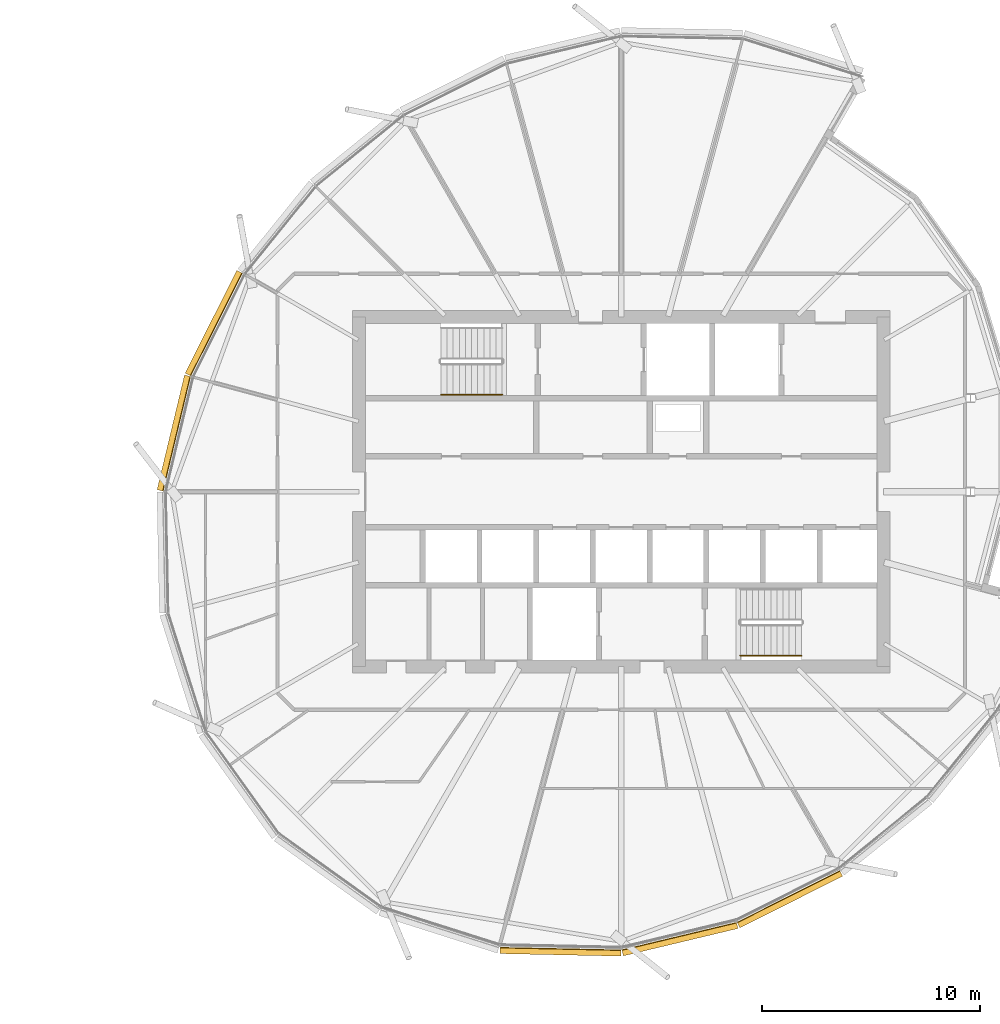
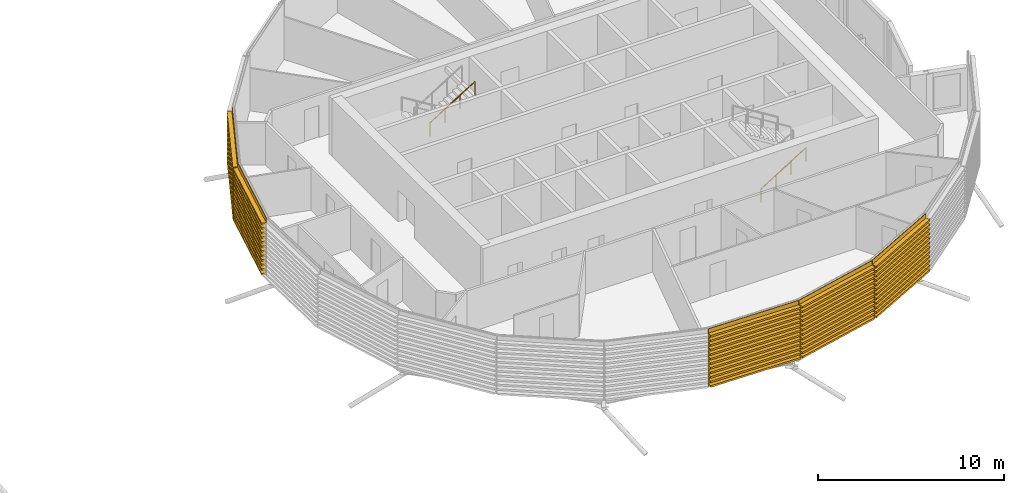
# One storey, part 35 of 37: 5 coverings, 2 railings.
"""IFC4 building model written with IfcOpenShell, lengths in metres."""

import ifcopenshell
import ifcopenshell.guid

model = None  # the IFC model being written
_history = None  # IfcOwnerHistory: only IFC2X3 demands one
_inside = {}  # id of a spatial element -> (the spatial element, [elements in it])
_under = {}  # id of a project, library or spatial element -> (it, [spatial elements below it])
_declared = {}  # id of a project -> (the project, [libraries it declares])
_typed = {}  # id of a type object -> (the type object, [elements of that type])
_made_of = {}  # id of a material, layer set ... -> (it, [elements and type objects made of it])


def new_model(schema):
    """Start an empty IFC model of exactly this schema.

    Asked for "IFC4X3", IfcOpenShell would pick the latest addendum, in which some entities
    have other attributes; the version numbers below select the first issue.
    IFC2X3 requires an IfcOwnerHistory on every rooted entity: one is made here for all.
    """
    global model, _history
    if schema == "IFC4X3":
        model = ifcopenshell.file(schema_version=(4, 3, 0, 0))
    else:
        model = ifcopenshell.file(schema=schema)
    _inside.clear()
    _under.clear()
    _declared.clear()
    _typed.clear()
    _made_of.clear()
    _history = None
    if model.schema == "IFC2X3":
        org = make("IfcOrganization", Name="unknown")
        user = make(
            "IfcPersonAndOrganization",
            ThePerson=make("IfcPerson", FamilyName="unknown"),
            TheOrganization=org,
        )
        app = make(
            "IfcApplication",
            ApplicationDeveloper=org,
            Version="unknown",
            ApplicationFullName="unknown",
            ApplicationIdentifier="unknown",
        )
        _history = make(
            "IfcOwnerHistory",
            OwningUser=user,
            OwningApplication=app,
            ChangeAction="ADDED",
            CreationDate=0,
        )
    return model


def make(cls, **values):
    """One entity of the class cls with the attributes given. An attribute that is None is left unset."""
    return model.create_entity(
        cls, **{name: value for name, value in values.items() if value is not None}
    )


def rooted(cls, **values):
    """An entity with a GlobalId (a new one), such as an element, a storey or a relation."""
    return make(cls, GlobalId=ifcopenshell.guid.new(), OwnerHistory=_history, **values)


def si_unit(unit_type, name, prefix=None):
    """IfcSIUnit, for example si_unit("LENGTHUNIT", "METRE", prefix="MILLI")."""
    return make("IfcSIUnit", UnitType=unit_type, Prefix=prefix, Name=name)


def assignment(units):
    """IfcUnitAssignment: the units of a project."""
    return None if units is None else make("IfcUnitAssignment", Units=units)


def point(xyz):
    """IfcCartesianPoint."""
    return None if xyz is None else make("IfcCartesianPoint", Coordinates=xyz)


def direction(xyz):
    """IfcDirection."""
    return None if xyz is None else make("IfcDirection", DirectionRatios=xyz)


def frame(location, z_axis=None, x_axis=None):
    """IfcAxis2Placement3D, a coordinate frame: its origin and axes. An axis left out is left unset."""
    return make(
        "IfcAxis2Placement3D",
        Location=point(location),
        Axis=direction(z_axis),
        RefDirection=direction(x_axis),
    )


def frame_2d(location, x_axis=None):
    """IfcAxis2Placement2D, a coordinate frame in the plane: its origin and x axis."""
    return make(
        "IfcAxis2Placement2D", Location=point(location), RefDirection=direction(x_axis)
    )


def origin():
    """The frame at (0, 0, 0) with its axes left unset."""
    return frame((0.0, 0.0, 0.0))


def origin_2d():
    """The frame at (0, 0) in the plane with its x axis left unset."""
    return frame_2d((0.0, 0.0))


def place(relative_to, where):
    """IfcLocalPlacement: puts the frame where relative to a parent placement (None: the world)."""
    return make(
        "IfcLocalPlacement", PlacementRelTo=relative_to, RelativePlacement=where
    )


def context(
    kind, dimensions, precision=None, world=None, true_north=None, identifier=None
):
    """IfcGeometricRepresentationContext, for example the 3D "Model" context."""
    return make(
        "IfcGeometricRepresentationContext",
        ContextIdentifier=identifier,
        ContextType=kind,
        CoordinateSpaceDimension=dimensions,
        Precision=precision,
        WorldCoordinateSystem=world,
        TrueNorth=true_north,
    )


def subcontext(parent, identifier, kind, view, scale=None):
    """IfcGeometricRepresentationSubContext, for example "Body" below "Model"."""
    return make(
        "IfcGeometricRepresentationSubContext",
        ContextIdentifier=identifier,
        ContextType=kind,
        ParentContext=parent,
        TargetScale=scale,
        TargetView=view,
    )


def project(units=None, contexts=None):
    """IfcProject with its units and contexts."""
    return rooted(
        "IfcProject",
        Name="project",
        RepresentationContexts=contexts,
        UnitsInContext=assignment(units),
    )


def spatial(cls, under=None, at=None, **own):
    """A site, building, storey or space (cls), placed at a placement, below another one or the project."""
    s = rooted(cls, ObjectPlacement=at, **own)
    if under is not None:
        _under.setdefault(under.id(), (under, []))[1].append(s)
    return s


def polyline(points):
    """IfcPolyline through the points."""
    return make("IfcPolyline", Points=[point(p) for p in points])


def profile(cls, at=None, kind="AREA", **sizes):
    """A parametric profile (cls). Its sizes go by their IFC names, for example OverallWidth=200.0."""
    return make(cls, ProfileType=kind, Position=at, **sizes)


def circle(**sizes):
    """IfcCircleProfileDef."""
    return profile("IfcCircleProfileDef", **sizes)


def outline(outer, holes=None, kind="AREA"):
    """IfcArbitraryClosedProfileDef: a profile drawn as a closed curve; with holes, ...WithVoids."""
    if holes is None:
        return make("IfcArbitraryClosedProfileDef", ProfileType=kind, OuterCurve=outer)
    return make(
        "IfcArbitraryProfileDefWithVoids",
        ProfileType=kind,
        OuterCurve=outer,
        InnerCurves=holes,
    )


def extrude(swept, where, along, depth):
    """IfcExtrudedAreaSolid: the profile swept, set in the frame where, extruded along a direction by depth."""
    return make(
        "IfcExtrudedAreaSolid",
        SweptArea=swept,
        Position=where,
        ExtrudedDirection=direction(along),
        Depth=depth,
    )


def shape(context_of_items, identifier, shape_type, items):
    """IfcShapeRepresentation: the items that make up one representation, for example the "Body"."""
    return make(
        "IfcShapeRepresentation",
        ContextOfItems=context_of_items,
        RepresentationIdentifier=identifier,
        RepresentationType=shape_type,
        Items=items,
    )


def material(Name=None, Category=None):
    """IfcMaterial."""
    return make("IfcMaterial", Name=Name, Category=Category)


def material_profile(
    of_material, cross_section, Name=None, Category=None, Priority=None
):
    """IfcMaterialProfile: a cross section and its material."""
    return make(
        "IfcMaterialProfile",
        Name=Name,
        Material=of_material,
        Profile=cross_section,
        Priority=Priority,
        Category=Category,
    )


def profile_set(profiles, Name=None, composite=None):
    """IfcMaterialProfileSet."""
    return make(
        "IfcMaterialProfileSet",
        Name=Name,
        MaterialProfiles=profiles,
        CompositeProfile=composite,
    )


def made_of(thing, what):
    """Note that an element or type object is made of a material, layer set ...; save() writes the relation."""
    if what is not None:
        _made_of.setdefault(what.id(), (what, []))[1].append(thing)
    return thing


def type_object(cls, material=None, **own):
    """A type object (cls), such as IfcWallType, which elements share."""
    return made_of(rooted(cls, **own), material)


def element(
    cls,
    number,
    at=None,
    inside=None,
    cuts=None,
    type_object=None,
    material=None,
    context=None,
    identifier="Body",
    shape_type=None,
    held_by="IfcProductDefinitionShape",
    body=None,
    shapes=None,
    **own,
):
    """One element of the class cls, such as IfcWall. Its Tag is "e" and its number.

    at: its placement. inside: the storey or other place that contains it. cuts: it is an
    opening in that element (IfcRelVoidsElement). A single representation is given by context,
    identifier, shape_type and body (its items); several are given by shapes. held_by: the class
    of the entity that holds the representations. save() writes the other relations.
    """
    e = rooted(cls, Tag="e%d" % number, ObjectPlacement=at, **own)
    if body is not None:
        shapes = [shape(context, identifier, shape_type, body)]
    if shapes is not None:
        e.Representation = make(held_by, Representations=shapes)
    if inside is not None:
        _inside.setdefault(inside.id(), (inside, []))[1].append(e)
    if cuts is not None:
        rooted(
            "IfcRelVoidsElement", RelatingBuildingElement=cuts, RelatedOpeningElement=e
        )
    if type_object is not None:
        _typed.setdefault(type_object.id(), (type_object, []))[1].append(e)
    return made_of(e, material)


def aggregate(whole, parts):
    """IfcRelAggregates: a whole, such as a stair, and the parts it consists of."""
    return rooted("IfcRelAggregates", RelatingObject=whole, RelatedObjects=parts)


def save(model, path):
    """Write the relations noted so far, then the file.

    IfcRelAggregates (storeys below a building ...), IfcRelContainedInSpatialStructure (elements
    in a storey), IfcRelDefinesByType, IfcRelAssociatesMaterial and IfcRelDeclares: one each for
    every whole, place, type object, material and project.
    """
    for whole, parts in _under.values():
        aggregate(whole, parts)
    for where, things in _inside.values():
        rooted(
            "IfcRelContainedInSpatialStructure",
            RelatedElements=things,
            RelatingStructure=where,
        )
    for kind, things in _typed.values():
        rooted("IfcRelDefinesByType", RelatedObjects=things, RelatingType=kind)
    for what, things in _made_of.values():
        rooted("IfcRelAssociatesMaterial", RelatedObjects=things, RelatingMaterial=what)
    for by, libraries in _declared.values():
        rooted("IfcRelDeclares", RelatingContext=by, RelatedDefinitions=libraries)
    model.write(path)


model = new_model("IFC4")

# Units and contexts
model_context = context("Model", 3, precision=1e-05, world=origin(), true_north=direction((0.0, 1.0)))
body_context = subcontext(model_context, "Body", "Model", "MODEL_VIEW")
ifc_project = project(units=[si_unit("LENGTHUNIT", "METRE"), si_unit("AREAUNIT", "SQUARE_METRE"), si_unit("VOLUMEUNIT", "CUBIC_METRE"), si_unit("PLANEANGLEUNIT", "RADIAN"), si_unit("MASSUNIT", "GRAM", prefix="KILO")], contexts=[model_context])

# Site, building, storey
site_placement = place(None, origin())
site = spatial("IfcSite", under=ifc_project, at=site_placement, CompositionType="ELEMENT")
building_placement = place(site_placement, origin())
building = spatial("IfcBuilding", under=site, at=building_placement, Name="Rimbun Link Towers", CompositionType="ELEMENT")
storey_placement = place(building_placement, frame((0.0, 0.0, 177.89990234375)))
storey = spatial("IfcBuildingStorey", under=building, at=storey_placement, Name="L43", CompositionType="ELEMENT", Elevation=177.89990234375)

# Railings
ifc_material_1 = material(Name="Stainless steel grade 316", Category="steel")
railing_type = type_object("IfcRailingType", Name="Stair handrail", PredefinedType="HANDRAIL", material=ifc_material_1)
for number, where, name in (
    (1, (23.5, 4.449951171875, 2.07275390625), "L43 ST3 stair handrail 2"),
    (2, (37.199951171875, -7.5, 0.1728515625), "L43 ST4 stair handrail 1"),
):
    element("IfcRailing", number, at=place(storey_placement, frame(where)), inside=storey, type_object=railing_type, Name=name, PredefinedType="HANDRAIL", context=body_context, shape_type="SweptSolid", body=[
        extrude(circle(Radius=0.02392578125, at=origin_2d()), frame((0.0, 0.0, 0.8759765625), z_axis=(0.851089632645, 0.0, 0.525020415988), x_axis=(0.0, 1.0, 0.0)), (0.0, 0.0, 1.0), 3.2900390625),
        extrude(circle(Radius=0.02099609375, at=origin_2d()), origin(), (0.0, 0.0, 1.0), 0.851806640625),
        extrude(circle(Radius=0.02099609375, at=origin_2d()), frame((0.933349609375, 0.0, 0.57568359375)), (0.0, 0.0, 1.0), 0.851806640625),
        extrude(circle(Radius=0.02099609375, at=origin_2d()), frame((1.86669921875, 0.0, 1.151611328125)), (0.0, 0.0, 1.0), 0.851806640625),
        extrude(circle(Radius=0.02099609375, at=origin_2d()), frame((2.800048828125, 0.0, 1.727294921875)), (0.0, 0.0, 1.0), 0.851806640625),
    ])

# Coverings
ifc_material_2 = material(Name="Terracotta", Category="masonry")
ifc_material_profile = material_profile(ifc_material_2, outline(polyline([(0.123046875, 0.0), (0.1630859375, 0.0), (0.1630859375, 0.10009765625), (0.423095703125, 0.10009765625), (0.423095703125, 0.219970703125), (0.1630859375, 0.219970703125), (0.1630859375, 0.39990234375), (0.423095703125, 0.39990234375), (0.423095703125, 0.52001953125), (0.1630859375, 0.52001953125), (0.1630859375, 0.699951171875), (0.423095703125, 0.699951171875), (0.423095703125, 0.820068359375), (0.1630859375, 0.820068359375), (0.1630859375, 1.0), (0.423095703125, 1.0), (0.423095703125, 1.1201171875), (0.1630859375, 1.1201171875), (0.1630859375, 1.300048828125), (0.423095703125, 1.300048828125), (0.423095703125, 1.419921875), (0.1630859375, 1.419921875), (0.1630859375, 1.60009765625), (0.423095703125, 1.60009765625), (0.423095703125, 1.719970703125), (0.1630859375, 1.719970703125), (0.1630859375, 1.89990234375), (0.423095703125, 1.89990234375), (0.423095703125, 2.02001953125), (0.1630859375, 2.02001953125), (0.1630859375, 2.199951171875), (0.423095703125, 2.199951171875), (0.423095703125, 2.320068359375), (0.1630859375, 2.320068359375), (0.1630859375, 2.5), (0.423095703125, 2.5), (0.423095703125, 2.6201171875), (0.1630859375, 2.6201171875), (0.1630859375, 2.800048828125), (0.423095703125, 2.800048828125), (0.423095703125, 2.919921875), (0.1630859375, 2.919921875), (0.1630859375, 3.10009765625), (0.423095703125, 3.10009765625), (0.423095703125, 3.219970703125), (0.1630859375, 3.219970703125), (0.1630859375, 3.39990234375), (0.423095703125, 3.39990234375), (0.423095703125, 3.52001953125), (0.1630859375, 3.52001953125), (0.1630859375, 3.800048828125), (0.123046875, 3.800048828125), (0.123046875, 0.0)])), Name="BAGUETTE 120X300")
ifc_profile_set = profile_set([ifc_material_profile], Name="Terracotta")
covering_type = type_object("IfcCoveringType", Name="TERRACOTTA BAGUETTE 120X300 H3800", PredefinedType="CLADDING", material=ifc_profile_set)
covering_1_placement = place(storey_placement, frame((12.17138671875, 5.24609375, 0.0), z_axis=(0.448792499015, 0.89363599571, 0.0), x_axis=(-0.89363599571, 0.448792499015, 0.0)))
element("IfcCovering", 3, at=covering_1_placement, inside=storey, type_object=covering_type, Name="TERRACOTTA BAGUETTE", PredefinedType="CLADDING", context=body_context, shape_type="SweptSolid", body=[
    extrude(outline(polyline([(0.123046875, 0.0), (0.1630859375, 0.0), (0.1630859375, 0.10009765625), (0.423095703125, 0.10009765625), (0.423095703125, 0.219970703125), (0.1630859375, 0.219970703125), (0.1630859375, 0.39990234375), (0.423095703125, 0.39990234375), (0.423095703125, 0.52001953125), (0.1630859375, 0.52001953125), (0.1630859375, 0.699951171875), (0.423095703125, 0.699951171875), (0.423095703125, 0.820068359375), (0.1630859375, 0.820068359375), (0.1630859375, 1.0), (0.423095703125, 1.0), (0.423095703125, 1.1201171875), (0.1630859375, 1.1201171875), (0.1630859375, 1.300048828125), (0.423095703125, 1.300048828125), (0.423095703125, 1.419921875), (0.1630859375, 1.419921875), (0.1630859375, 1.60009765625), (0.423095703125, 1.60009765625), (0.423095703125, 1.719970703125), (0.1630859375, 1.719970703125), (0.1630859375, 1.89990234375), (0.423095703125, 1.89990234375), (0.423095703125, 2.02001953125), (0.1630859375, 2.02001953125), (0.1630859375, 2.199951171875), (0.423095703125, 2.199951171875), (0.423095703125, 2.320068359375), (0.1630859375, 2.320068359375), (0.1630859375, 2.5), (0.423095703125, 2.5), (0.423095703125, 2.6201171875), (0.1630859375, 2.6201171875), (0.1630859375, 2.800048828125), (0.423095703125, 2.800048828125), (0.423095703125, 2.919921875), (0.1630859375, 2.919921875), (0.1630859375, 3.10009765625), (0.423095703125, 3.10009765625), (0.423095703125, 3.219970703125), (0.1630859375, 3.219970703125), (0.1630859375, 3.39990234375), (0.423095703125, 3.39990234375), (0.423095703125, 3.52001953125), (0.1630859375, 3.52001953125), (0.1630859375, 3.800048828125), (0.123046875, 3.800048828125), (0.123046875, 0.0)])), origin(), (0.0, 0.0, 1.0), 5.2548828125),
])
covering_2_placement = place(storey_placement, frame((10.9169921875, 0.0, 0.0), z_axis=(0.232554598623, 0.972583342783, 0.0), x_axis=(-0.972583342783, 0.232554598623, 0.0)))
element("IfcCovering", 4, at=covering_2_placement, inside=storey, type_object=covering_type, Name="TERRACOTTA BAGUETTE", PredefinedType="CLADDING", context=body_context, shape_type="SweptSolid", body=[
    extrude(outline(polyline([(0.123046875, 0.0), (0.1630859375, 0.0), (0.1630859375, 0.10009765625), (0.423095703125, 0.10009765625), (0.423095703125, 0.219970703125), (0.1630859375, 0.219970703125), (0.1630859375, 0.39990234375), (0.423095703125, 0.39990234375), (0.423095703125, 0.52001953125), (0.1630859375, 0.52001953125), (0.1630859375, 0.699951171875), (0.423095703125, 0.699951171875), (0.423095703125, 0.820068359375), (0.1630859375, 0.820068359375), (0.1630859375, 1.0), (0.423095703125, 1.0), (0.423095703125, 1.1201171875), (0.1630859375, 1.1201171875), (0.1630859375, 1.300048828125), (0.423095703125, 1.300048828125), (0.423095703125, 1.419921875), (0.1630859375, 1.419921875), (0.1630859375, 1.60009765625), (0.423095703125, 1.60009765625), (0.423095703125, 1.719970703125), (0.1630859375, 1.719970703125), (0.1630859375, 1.89990234375), (0.423095703125, 1.89990234375), (0.423095703125, 2.02001953125), (0.1630859375, 2.02001953125), (0.1630859375, 2.199951171875), (0.423095703125, 2.199951171875), (0.423095703125, 2.320068359375), (0.1630859375, 2.320068359375), (0.1630859375, 2.5), (0.423095703125, 2.5), (0.423095703125, 2.6201171875), (0.1630859375, 2.6201171875), (0.1630859375, 2.800048828125), (0.423095703125, 2.800048828125), (0.423095703125, 2.919921875), (0.1630859375, 2.919921875), (0.1630859375, 3.10009765625), (0.423095703125, 3.10009765625), (0.423095703125, 3.219970703125), (0.1630859375, 3.219970703125), (0.1630859375, 3.39990234375), (0.423095703125, 3.39990234375), (0.423095703125, 3.52001953125), (0.1630859375, 3.52001953125), (0.1630859375, 3.800048828125), (0.123046875, 3.800048828125), (0.123046875, 0.0)])), origin(), (0.0, 0.0, 1.0), 5.39404296875),
])
covering_3_placement = place(storey_placement, frame((31.75, -20.8330078125, 0.0), z_axis=(-0.999779070487, 0.021019282006, 0.0), x_axis=(-0.021019282006, -0.999779070487, 0.0)))
element("IfcCovering", 5, at=covering_3_placement, inside=storey, type_object=covering_type, Name="TERRACOTTA BAGUETTE", PredefinedType="CLADDING", context=body_context, shape_type="SweptSolid", body=[
    extrude(outline(polyline([(0.123046875, 0.0), (0.1630859375, 0.0), (0.1630859375, 0.10009765625), (0.423095703125, 0.10009765625), (0.423095703125, 0.219970703125), (0.1630859375, 0.219970703125), (0.1630859375, 0.39990234375), (0.423095703125, 0.39990234375), (0.423095703125, 0.52001953125), (0.1630859375, 0.52001953125), (0.1630859375, 0.699951171875), (0.423095703125, 0.699951171875), (0.423095703125, 0.820068359375), (0.1630859375, 0.820068359375), (0.1630859375, 1.0), (0.423095703125, 1.0), (0.423095703125, 1.1201171875), (0.1630859375, 1.1201171875), (0.1630859375, 1.300048828125), (0.423095703125, 1.300048828125), (0.423095703125, 1.419921875), (0.1630859375, 1.419921875), (0.1630859375, 1.60009765625), (0.423095703125, 1.60009765625), (0.423095703125, 1.719970703125), (0.1630859375, 1.719970703125), (0.1630859375, 1.89990234375), (0.423095703125, 1.89990234375), (0.423095703125, 2.02001953125), (0.1630859375, 2.02001953125), (0.1630859375, 2.199951171875), (0.423095703125, 2.199951171875), (0.423095703125, 2.320068359375), (0.1630859375, 2.320068359375), (0.1630859375, 2.5), (0.423095703125, 2.5), (0.423095703125, 2.6201171875), (0.1630859375, 2.6201171875), (0.1630859375, 2.800048828125), (0.423095703125, 2.800048828125), (0.423095703125, 2.919921875), (0.1630859375, 2.919921875), (0.1630859375, 3.10009765625), (0.423095703125, 3.10009765625), (0.423095703125, 3.219970703125), (0.1630859375, 3.219970703125), (0.1630859375, 3.39990234375), (0.423095703125, 3.39990234375), (0.423095703125, 3.52001953125), (0.1630859375, 3.52001953125), (0.1630859375, 3.800048828125), (0.123046875, 3.800048828125), (0.123046875, 0.0)])), origin(), (0.0, 0.0, 1.0), 5.552001953125),
])
covering_4_placement = place(storey_placement, frame((36.99609375, -19.57861328125, 0.0), z_axis=(-0.972583342783, -0.232554598623, 0.0), x_axis=(0.232554598623, -0.972583342783, 0.0)))
element("IfcCovering", 6, at=covering_4_placement, inside=storey, type_object=covering_type, Name="TERRACOTTA BAGUETTE", PredefinedType="CLADDING", context=body_context, shape_type="SweptSolid", body=[
    extrude(outline(polyline([(0.123046875, 0.0), (0.1630859375, 0.0), (0.1630859375, 0.10009765625), (0.423095703125, 0.10009765625), (0.423095703125, 0.219970703125), (0.1630859375, 0.219970703125), (0.1630859375, 0.39990234375), (0.423095703125, 0.39990234375), (0.423095703125, 0.52001953125), (0.1630859375, 0.52001953125), (0.1630859375, 0.699951171875), (0.423095703125, 0.699951171875), (0.423095703125, 0.820068359375), (0.1630859375, 0.820068359375), (0.1630859375, 1.0), (0.423095703125, 1.0), (0.423095703125, 1.1201171875), (0.1630859375, 1.1201171875), (0.1630859375, 1.300048828125), (0.423095703125, 1.300048828125), (0.423095703125, 1.419921875), (0.1630859375, 1.419921875), (0.1630859375, 1.60009765625), (0.423095703125, 1.60009765625), (0.423095703125, 1.719970703125), (0.1630859375, 1.719970703125), (0.1630859375, 1.89990234375), (0.423095703125, 1.89990234375), (0.423095703125, 2.02001953125), (0.1630859375, 2.02001953125), (0.1630859375, 2.199951171875), (0.423095703125, 2.199951171875), (0.423095703125, 2.320068359375), (0.1630859375, 2.320068359375), (0.1630859375, 2.5), (0.423095703125, 2.5), (0.423095703125, 2.6201171875), (0.1630859375, 2.6201171875), (0.1630859375, 2.800048828125), (0.423095703125, 2.800048828125), (0.423095703125, 2.919921875), (0.1630859375, 2.919921875), (0.1630859375, 3.10009765625), (0.423095703125, 3.10009765625), (0.423095703125, 3.219970703125), (0.1630859375, 3.219970703125), (0.1630859375, 3.39990234375), (0.423095703125, 3.39990234375), (0.423095703125, 3.52001953125), (0.1630859375, 3.52001953125), (0.1630859375, 3.800048828125), (0.123046875, 3.800048828125), (0.123046875, 0.0)])), origin(), (0.0, 0.0, 1.0), 5.39404296875),
])
covering_5_placement = place(storey_placement, frame((41.692138671875, -17.22021484375, 0.0), z_axis=(-0.89363599571, -0.448792499015, 0.0), x_axis=(0.448792499015, -0.89363599571, 0.0)))
element("IfcCovering", 7, at=covering_5_placement, inside=storey, type_object=covering_type, Name="TERRACOTTA BAGUETTE", PredefinedType="CLADDING", context=body_context, shape_type="SweptSolid", body=[
    extrude(outline(polyline([(0.123046875, 0.0), (0.1630859375, 0.0), (0.1630859375, 0.10009765625), (0.423095703125, 0.10009765625), (0.423095703125, 0.219970703125), (0.1630859375, 0.219970703125), (0.1630859375, 0.39990234375), (0.423095703125, 0.39990234375), (0.423095703125, 0.52001953125), (0.1630859375, 0.52001953125), (0.1630859375, 0.699951171875), (0.423095703125, 0.699951171875), (0.423095703125, 0.820068359375), (0.1630859375, 0.820068359375), (0.1630859375, 1.0), (0.423095703125, 1.0), (0.423095703125, 1.1201171875), (0.1630859375, 1.1201171875), (0.1630859375, 1.300048828125), (0.423095703125, 1.300048828125), (0.423095703125, 1.419921875), (0.1630859375, 1.419921875), (0.1630859375, 1.60009765625), (0.423095703125, 1.60009765625), (0.423095703125, 1.719970703125), (0.1630859375, 1.719970703125), (0.1630859375, 1.89990234375), (0.423095703125, 1.89990234375), (0.423095703125, 2.02001953125), (0.1630859375, 2.02001953125), (0.1630859375, 2.199951171875), (0.423095703125, 2.199951171875), (0.423095703125, 2.320068359375), (0.1630859375, 2.320068359375), (0.1630859375, 2.5), (0.423095703125, 2.5), (0.423095703125, 2.6201171875), (0.1630859375, 2.6201171875), (0.1630859375, 2.800048828125), (0.423095703125, 2.800048828125), (0.423095703125, 2.919921875), (0.1630859375, 2.919921875), (0.1630859375, 3.10009765625), (0.423095703125, 3.10009765625), (0.423095703125, 3.219970703125), (0.1630859375, 3.219970703125), (0.1630859375, 3.39990234375), (0.423095703125, 3.39990234375), (0.423095703125, 3.52001953125), (0.1630859375, 3.52001953125), (0.1630859375, 3.800048828125), (0.123046875, 3.800048828125), (0.123046875, 0.0)])), origin(), (0.0, 0.0, 1.0), 5.2548828125),
])

save(model, "model.ifc")
